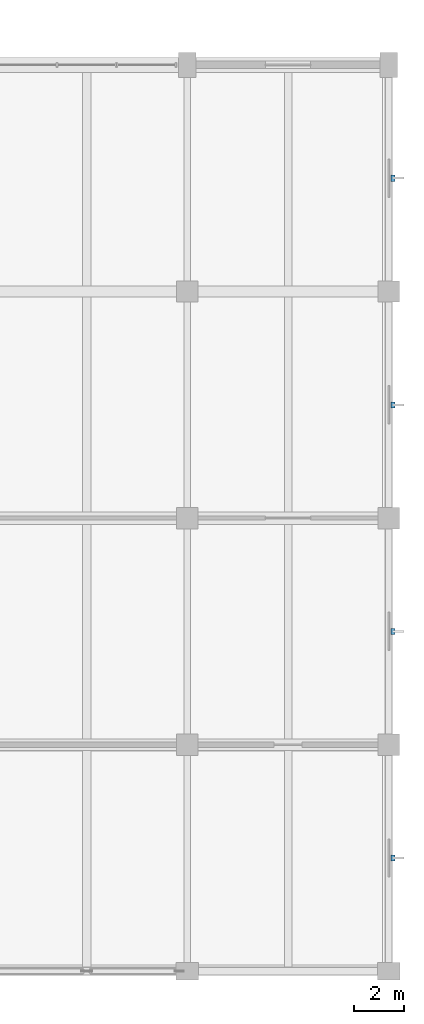
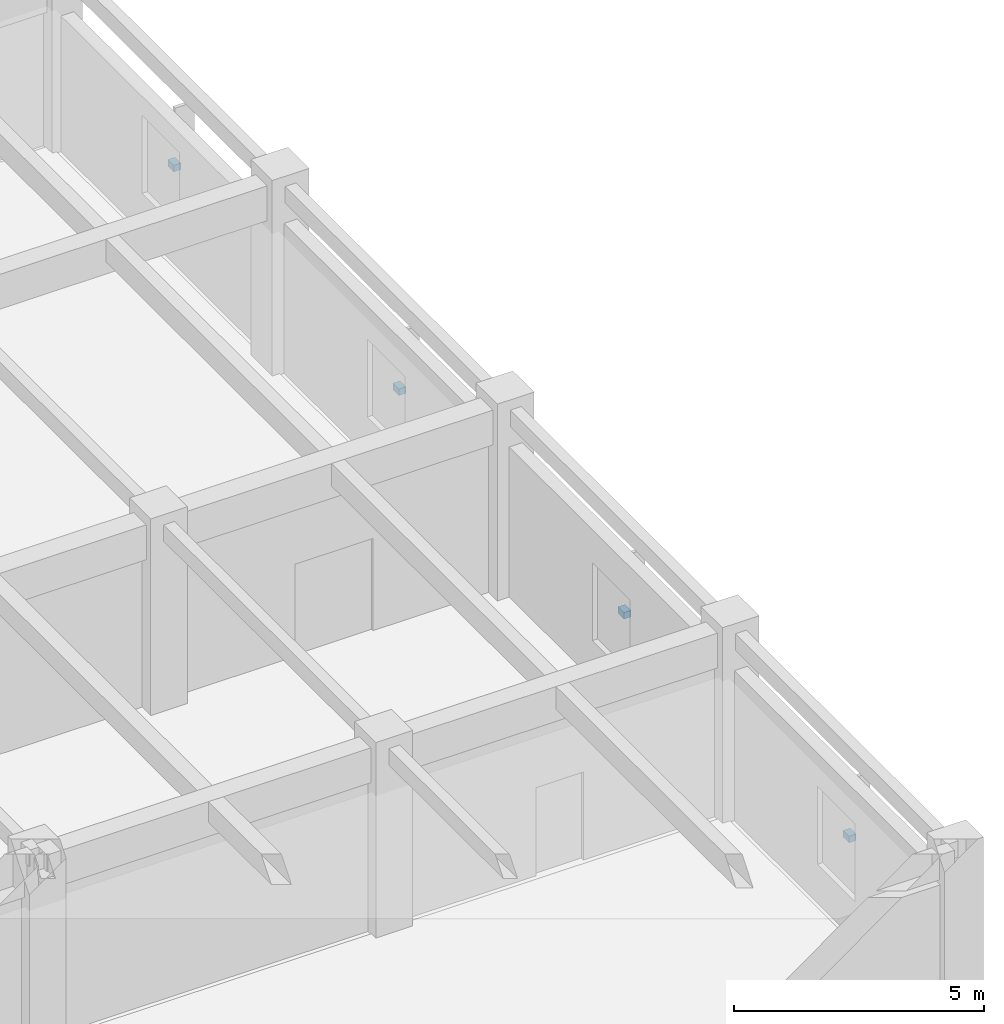
# One storey, part 133 of 144: 4 discrete accessories.
"""IFC4 building model written with IfcOpenShell, lengths in metres."""

from ifc_helpers import new_model, si_unit, direction, frame, origin, origin_2d, place, context, subcontext, project, spatial, rectangle, extrude, material, layer, layer_set, type_object, element, save


model = new_model("IFC4")

# Units and contexts
model_context = context("Model", 3, precision=1e-05, world=origin(), true_north=direction((0.0, 1.0)))
body_context = subcontext(model_context, "Body", "Model", "MODEL_VIEW")
ifc_project = project(units=[si_unit("LENGTHUNIT", "METRE"), si_unit("AREAUNIT", "SQUARE_METRE"), si_unit("VOLUMEUNIT", "CUBIC_METRE"), si_unit("PLANEANGLEUNIT", "RADIAN"), si_unit("MASSUNIT", "GRAM", prefix="KILO")], contexts=[model_context])

# Site, building, storey
site_placement = place(None, origin())
site = spatial("IfcSite", under=ifc_project, at=site_placement, CompositionType="ELEMENT")
building_placement = place(site_placement, origin())
building = spatial("IfcBuilding", under=site, at=building_placement, Name="Varnabhumi Central Station", CompositionType="ELEMENT")
storey_placement = place(building_placement, frame((0.0, 0.0, 4.800048828125)))
storey = spatial("IfcBuildingStorey", under=building, at=storey_placement, Name="L01", CompositionType="ELEMENT", Elevation=4.800048828125)

# Discrete accessories
ifc_material = material(Name="Structural steel E350", Category="steel")
ifc_layer = layer(ifc_material, 0.159912109375, Name="Structural steel E350", Category="steel")
ifc_layer_set = layer_set([ifc_layer], Name="Structural steel E350")
discrete_accessory_type = type_object("IfcDiscreteAccessoryType", Name="ACC-SHADE-BRKT", PredefinedType="BRACKET", material=ifc_layer_set)
for number, where, z_axis, x_axis, name in (
    (1, (184.159912109375, 4.5, 1.919921875), (0.0, 0.0, 1.0), (1.0, 0.0, 0.0), "West Louver Fin Bracket 1"),
    (2, (184.159912109375, 13.5, 1.919921875), (0.0, 0.0, 1.0), (1.0, 0.0, 0.0), "West Louver Fin Bracket 2"),
    (3, (184.159912109375, 22.5, 1.919921875), (0.0, 0.0, 1.0), (1.0, 0.0, 0.0), "West Louver Fin Bracket 3"),
    (4, (184.159912109375, 31.5, 1.919921875), (0.0, 0.0, 1.0), (1.0, 0.0, 0.0), "West Louver Fin Bracket 4"),
):
    element("IfcDiscreteAccessory", number, at=place(storey_placement, frame(where, z_axis=z_axis, x_axis=x_axis)), inside=storey, type_object=discrete_accessory_type, Name=name, PredefinedType="BRACKET", context=body_context, shape_type="SweptSolid", body=[
        extrude(rectangle(XDim=0.159912109375, YDim=0.239990234375, at=origin_2d()), origin(), (0.0, 0.0, 1.0), 0.159912109375),
    ])

save(model, "model.ifc")
